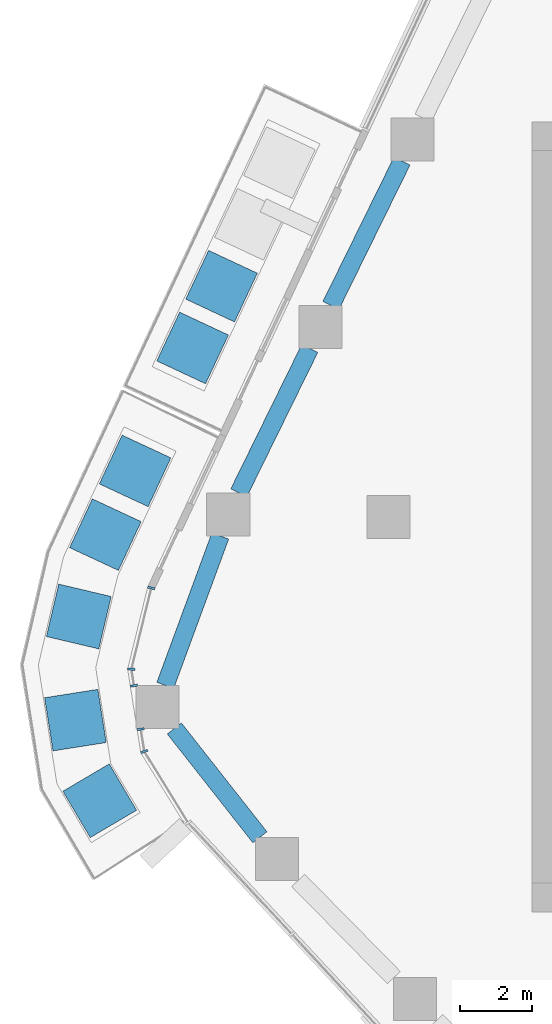
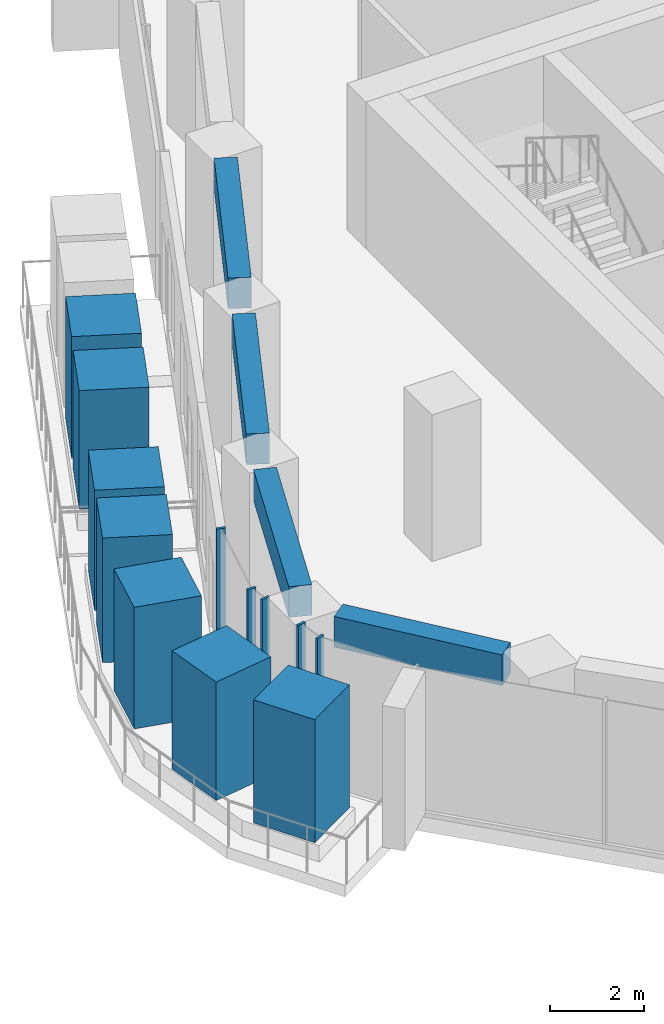
# One storey, part 3 of 17: 12 members, 4 beams, 2 elements without a shape of their own.
"""IFC4 building model written with IfcOpenShell, lengths in metres."""

from ifc_helpers import new_model, si_unit, direction, frame, origin, origin_2d, place, context, subcontext, project, spatial, rectangle, extrude, material, layer, layer_set, material_profile, profile_set, type_object, element, aggregate, save


model = new_model("IFC4")

# Units and contexts
model_context = context("Model", 3, precision=1e-05, world=origin(), true_north=direction((0.0, 1.0)))
body_context = subcontext(model_context, "Body", "Model", "MODEL_VIEW")
ifc_project = project(units=[si_unit("LENGTHUNIT", "METRE"), si_unit("AREAUNIT", "SQUARE_METRE"), si_unit("VOLUMEUNIT", "CUBIC_METRE"), si_unit("PLANEANGLEUNIT", "RADIAN"), si_unit("MASSUNIT", "GRAM", prefix="KILO")], contexts=[model_context])

# Site, building, storey
site_placement = place(None, origin())
site = spatial("IfcSite", under=ifc_project, at=site_placement, CompositionType="ELEMENT")
building_placement = place(site_placement, origin())
building = spatial("IfcBuilding", under=site, at=building_placement, Name="Dongbaek Canopy Tower", CompositionType="ELEMENT")
storey_placement = place(building_placement, frame((0.0, 0.0, 211.39990234375)))
storey = spatial("IfcBuildingStorey", under=building, at=storey_placement, Name="L44", CompositionType="ELEMENT", Elevation=211.39990234375)

# Curtain wall, members
ifc_material_1 = material(Name="Aluminium 6063-T6 pale anodised", Category="aluminium")
ifc_layer = layer(ifc_material_1, 0.199951171875)
ifc_layer_set = layer_set([ifc_layer], Name="CW-1 unitised tower curtain wall")
curtain_wall_type = type_object("IfcCurtainWallType", Name="CW-1 unitised tower curtain wall", PredefinedType="NOTDEFINED", material=ifc_layer_set)
curtain_wall_1_placement = place(storey_placement, origin())
curtain_wall_1 = element("IfcCurtainWall", 1, at=curtain_wall_1_placement, inside=storey, type_object=curtain_wall_type, Name="CW-1 curtain wall K3.1a", PredefinedType="NOTDEFINED")
ifc_material_2 = material(Name="Aluminium 6063-T6 pale anodised", Category="aluminium")
ifc_material_profile_1 = material_profile(ifc_material_2, rectangle(XDim=0.199951171875, YDim=0.06005859375, at=origin_2d()), Name="CW-1 mullion 60 x 200")
ifc_profile_set_1 = profile_set([ifc_material_profile_1], Name="Aluminium 6063-T6 pale anodised")
member_type_1 = type_object("IfcMemberType", Name="CW-1 mullion 60 x 200", PredefinedType="MULLION", material=ifc_profile_set_1)
member_1_placement = place(storey_placement, frame((-24.606689453125, -1.980712890625, 0.0), z_axis=(0.0, 0.0, 1.0), x_axis=(-0.971314343004, 0.23779917383, 0.0)))
member_1 = element("IfcMember", 2, at=member_1_placement, type_object=member_type_1, Name="CW-1 mullion K3.1a.1", PredefinedType="MULLION", context=body_context, shape_type="SweptSolid", body=[
    extrude(rectangle(XDim=0.199951171875, YDim=0.06005859375, at=origin_2d()), origin(), (0.0, 0.0, 1.0), 3.820068359375),
])
member_2_placement = place(storey_placement, frame((-25.16064453125, -4.243896484375, 0.0), z_axis=(0.0, 0.0, 1.0), x_axis=(-0.999112011323, 0.042132989814, 0.0)))
member_2 = element("IfcMember", 3, at=member_2_placement, type_object=member_type_1, Name="CW-1 mullion K3.1a.2", PredefinedType="MULLION", context=body_context, shape_type="SweptSolid", body=[
    extrude(rectangle(XDim=0.199951171875, YDim=0.06005859375, at=origin_2d()), origin(), (0.0, 0.0, 1.0), 3.820068359375),
])
member_3_placement = place(storey_placement, frame((-25.088623046875, -4.702392578125, 0.0), z_axis=(0.0, 0.0, 1.0), x_axis=(-0.987886396742, -0.155178823082, 0.0)))
member_3 = element("IfcMember", 4, at=member_3_placement, type_object=member_type_1, Name="CW-1 mullion K3.1a.3", PredefinedType="MULLION", context=body_context, shape_type="SweptSolid", body=[
    extrude(rectangle(XDim=0.199951171875, YDim=0.06005859375, at=origin_2d()), origin(), (0.0, 0.0, 1.0), 3.820068359375),
])
aggregate(curtain_wall_1, [member_1, member_2, member_3])

curtain_wall_2_placement = place(storey_placement, origin())
curtain_wall_2 = element("IfcCurtainWall", 5, at=curtain_wall_2_placement, inside=storey, type_object=curtain_wall_type, Name="CW-1 curtain wall K3.1b", PredefinedType="NOTDEFINED")
member_4_placement = place(storey_placement, frame((-24.8984375, -5.9140625, 0.0), z_axis=(0.0, 0.0, 1.0), x_axis=(-0.987886396742, -0.155178823082, 0.0)))
member_4 = element("IfcMember", 6, at=member_4_placement, type_object=member_type_1, Name="CW-1 mullion K3.1b.1", PredefinedType="MULLION", context=body_context, shape_type="SweptSolid", body=[
    extrude(rectangle(XDim=0.199951171875, YDim=0.06005859375, at=origin_2d()), origin(), (0.0, 0.0, 1.0), 3.820068359375),
])
member_5_placement = place(storey_placement, frame((-24.80078125, -6.535400390625, 0.0), z_axis=(0.0, 0.0, 1.0), x_axis=(-0.938075948933, -0.346429666792, 0.0)))
member_5 = element("IfcMember", 7, at=member_5_placement, type_object=member_type_1, Name="CW-1 mullion K3.1b.2", PredefinedType="MULLION", context=body_context, shape_type="SweptSolid", body=[
    extrude(rectangle(XDim=0.199951171875, YDim=0.06005859375, at=origin_2d()), origin(), (0.0, 0.0, 1.0), 3.820068359375),
])
aggregate(curtain_wall_2, [member_4, member_5])

# Beams
ifc_material_3 = material(Name="Concrete C70", Category="concrete")
ifc_material_profile_2 = material_profile(ifc_material_3, rectangle(XDim=0.5, YDim=0.800048828125, at=origin_2d()), Name="RC EDGE BEAM 500x800 C70")
ifc_profile_set_2 = profile_set([ifc_material_profile_2], Name="Concrete C70")
beam_type = type_object("IfcBeamType", Name="RC EDGE BEAM 500x800 C70", PredefinedType="BEAM", material=ifc_profile_set_2)
beam_1_placement = place(storey_placement, frame((-21.578125, -8.925048828125, 3.420166015625), z_axis=(-0.618344214718, 0.785907394115, 0.0), x_axis=(-0.785907394115, -0.618344214718, 0.0)))
element("IfcBeam", 8, at=beam_1_placement, inside=storey, type_object=beam_type, Name="EDGEBEAM:L44:07", PredefinedType="BEAM", context=body_context, shape_type="SweptSolid", body=[
    extrude(rectangle(XDim=0.5, YDim=0.800048828125, at=origin_2d()), origin(), (0.0, 0.0, 1.0), 3.856689453125),
])
beam_2_placement = place(storey_placement, frame((-24.214111328125, -4.694091796875, 3.420166015625), z_axis=(0.34534810305, 0.938474660137, 0.0), x_axis=(-0.938474660137, 0.34534810305, 0.0)))
element("IfcBeam", 9, at=beam_2_placement, inside=storey, type_object=beam_type, Name="EDGEBEAM:L44:08", PredefinedType="BEAM", context=body_context, shape_type="SweptSolid", body=[
    extrude(rectangle(XDim=0.5, YDim=0.800048828125, at=origin_2d()), origin(), (0.0, 0.0, 1.0), 4.433837890625),
])
beam_3_placement = place(storey_placement, frame((-22.1669921875, 0.6669921875, 3.420166015625), z_axis=(0.441142658474, 0.897436992147, 0.0), x_axis=(-0.897436992147, 0.441142658474, 0.0)))
element("IfcBeam", 10, at=beam_3_placement, inside=storey, type_object=beam_type, Name="EDGEBEAM:L44:09", PredefinedType="BEAM", context=body_context, shape_type="SweptSolid", body=[
    extrude(rectangle(XDim=0.5, YDim=0.800048828125, at=origin_2d()), origin(), (0.0, 0.0, 1.0), 4.4794921875),
])
beam_4_placement = place(storey_placement, frame((-19.6005859375, 5.886962890625, 3.420166015625), z_axis=(0.441534821152, 0.897244114893, 0.0), x_axis=(-0.897244114893, 0.441534821152, 0.0)))
element("IfcBeam", 11, at=beam_4_placement, inside=storey, type_object=beam_type, Name="EDGEBEAM:L44:10", PredefinedType="BEAM", context=body_context, shape_type="SweptSolid", body=[
    extrude(rectangle(XDim=0.5, YDim=0.800048828125, at=origin_2d()), origin(), (0.0, 0.0, 1.0), 4.478271484375),
])

# Members
ifc_material_4 = material(Name="Concrete C40/50 planter mass with planting", Category="concrete")
ifc_material_profile_3 = material_profile(ifc_material_4, rectangle(XDim=1.5, YDim=1.5, at=origin_2d()), Name="Terrace PLANTER shrub mass 1500 x 1500")
ifc_profile_set_3 = profile_set([ifc_material_profile_3], Name="Concrete C40/50 planter mass with planting")
member_type_2 = type_object("IfcMemberType", Name="Terrace PLANTER shrub mass 1500 x 1500", PredefinedType="USERDEFINED", material=ifc_profile_set_3)
member_6_placement = place(storey_placement, frame((-22.647216796875, 6.42236328125, 0.420166015625), z_axis=(0.0, 0.0, 1.0), x_axis=(-0.905579112169, 0.424177405815, 0.0)))
element("IfcMember", 12, at=member_6_placement, inside=storey, type_object=member_type_2, Name="Planter shrubs L44 1.3", ObjectType="PLANTER", PredefinedType="USERDEFINED", context=body_context, shape_type="SweptSolid", body=[
    extrude(rectangle(XDim=1.5, YDim=1.5, at=origin_2d()), origin(), (0.0, 0.0, 1.0), 3.169921875),
])
member_7_placement = place(storey_placement, frame((-23.453369140625, 4.70166015625, 0.420166015625), z_axis=(0.0, 0.0, 1.0), x_axis=(-0.905579112169, 0.424177405815, 0.0)))
element("IfcMember", 13, at=member_7_placement, inside=storey, type_object=member_type_2, Name="Planter shrubs L44 1.4", ObjectType="PLANTER", PredefinedType="USERDEFINED", context=body_context, shape_type="SweptSolid", body=[
    extrude(rectangle(XDim=1.5, YDim=1.5, at=origin_2d()), origin(), (0.0, 0.0, 1.0), 3.08984375),
])
member_8_placement = place(storey_placement, frame((-25.0546875, 1.278076171875, 0.420166015625), z_axis=(0.0, 0.0, 1.0), x_axis=(-0.906472704574, 0.42226441463, 0.0)))
element("IfcMember", 14, at=member_8_placement, inside=storey, type_object=member_type_2, Name="Planter shrubs L44 3.1", ObjectType="PLANTER", PredefinedType="USERDEFINED", context=body_context, shape_type="SweptSolid", body=[
    extrude(rectangle(XDim=1.5, YDim=1.5, at=origin_2d()), origin(), (0.0, 0.0, 1.0), 3.1298828125),
])
member_9_placement = place(storey_placement, frame((-25.881591796875, -0.497314453125, 0.420166015625), z_axis=(0.0, 0.0, 1.0), x_axis=(-0.906472704574, 0.42226441463, 0.0)))
element("IfcMember", 15, at=member_9_placement, inside=storey, type_object=member_type_2, Name="Planter shrubs L44 3.2", ObjectType="PLANTER", PredefinedType="USERDEFINED", context=body_context, shape_type="SweptSolid", body=[
    extrude(rectangle(XDim=1.5, YDim=1.5, at=origin_2d()), origin(), (0.0, 0.0, 1.0), 3.25),
])
member_10_placement = place(storey_placement, frame((-26.623046875, -2.776611328125, 0.420166015625), z_axis=(0.0, 0.0, 1.0), x_axis=(-0.973334860717, 0.229388859608, 0.0)))
element("IfcMember", 16, at=member_10_placement, inside=storey, type_object=member_type_2, Name="Planter shrubs L44 3.3", ObjectType="PLANTER", PredefinedType="USERDEFINED", context=body_context, shape_type="SweptSolid", body=[
    extrude(rectangle(XDim=1.5, YDim=1.5, at=origin_2d()), origin(), (0.0, 0.0, 1.0), 3.169921875),
])
member_11_placement = place(storey_placement, frame((-26.716552734375, -5.662353515625, 0.420166015625), z_axis=(0.0, 0.0, 1.0), x_axis=(-0.987886396742, -0.155178823082, 0.0)))
element("IfcMember", 17, at=member_11_placement, inside=storey, type_object=member_type_2, Name="Planter shrubs L44 3.4", ObjectType="PLANTER", PredefinedType="USERDEFINED", context=body_context, shape_type="SweptSolid", body=[
    extrude(rectangle(XDim=1.5, YDim=1.5, at=origin_2d()), origin(), (0.0, 0.0, 1.0), 3.08984375),
])
member_12_placement = place(storey_placement, frame((-26.039306640625, -7.906982421875, 0.420166015625), z_axis=(0.0, 0.0, 1.0), x_axis=(-0.861400334855, -0.507926631623, 0.0)))
element("IfcMember", 18, at=member_12_placement, inside=storey, type_object=member_type_2, Name="Planter shrubs L44 3.5", ObjectType="PLANTER", PredefinedType="USERDEFINED", context=body_context, shape_type="SweptSolid", body=[
    extrude(rectangle(XDim=1.5, YDim=1.5, at=origin_2d()), origin(), (0.0, 0.0, 1.0), 3.2099609375),
])

save(model, "model.ifc")
